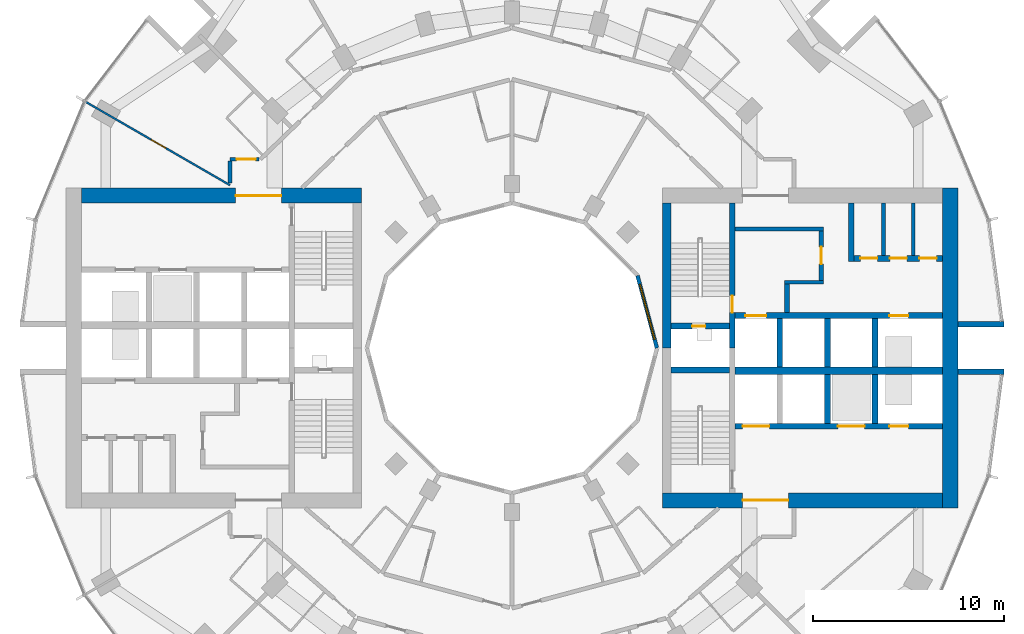
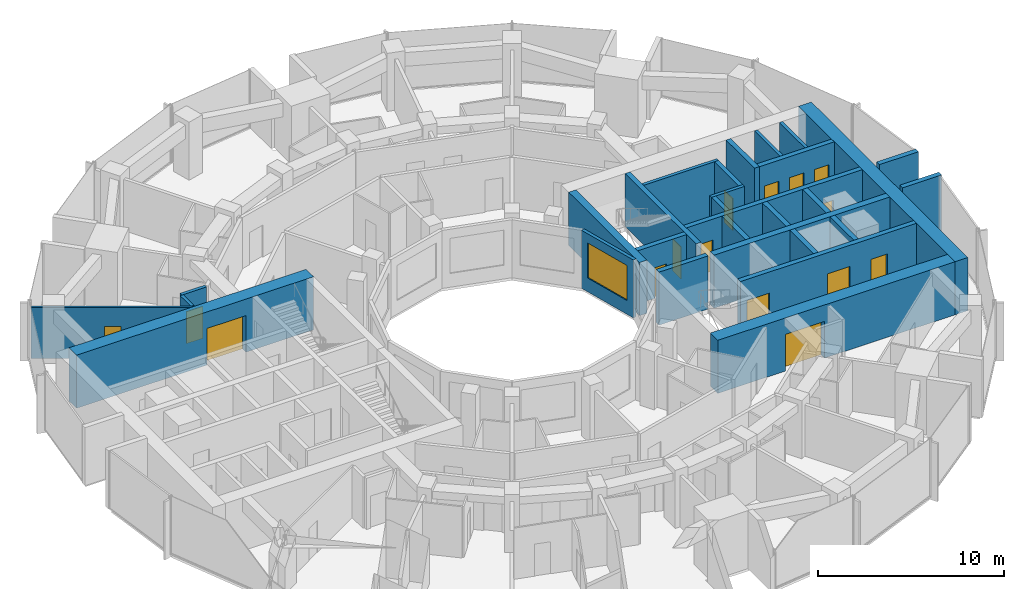
# One storey, part 11 of 15: 29 walls, 15 doors, 1 window, 16 openings.
"""IFC4 building model written with IfcOpenShell, lengths in metres."""

from ifc_helpers import new_model, si_unit, direction, frame, frame_2d, origin, place, context, subcontext, project, spatial, rectangle, extrude, material, layer, layer_set, type_object, element, fill, save


model = new_model("IFC4")

# Units and contexts
model_context = context("Model", 3, precision=1e-05, world=origin(), true_north=direction((0.0, 1.0)))
body_context = subcontext(model_context, "Body", "Model", "MODEL_VIEW")
ifc_project = project(units=[si_unit("LENGTHUNIT", "METRE"), si_unit("AREAUNIT", "SQUARE_METRE"), si_unit("VOLUMEUNIT", "CUBIC_METRE"), si_unit("PLANEANGLEUNIT", "RADIAN"), si_unit("MASSUNIT", "GRAM", prefix="KILO")], contexts=[model_context])

# Site, building, storey
site_placement = place(None, origin())
site = spatial("IfcSite", under=ifc_project, at=site_placement, CompositionType="ELEMENT")
building_placement = place(site_placement, origin())
building = spatial("IfcBuilding", under=site, at=building_placement, Name="Torre Brocal", CompositionType="ELEMENT")
storey_placement = place(building_placement, frame((0.0, 0.0, 51.60009765625)))
storey = spatial("IfcBuildingStorey", under=building, at=storey_placement, Name="L11", CompositionType="ELEMENT", Elevation=51.60009765625)

# Walls
ifc_material_1 = material(Name="Masonry block", Category="masonry")
ifc_layer_1 = layer(ifc_material_1, 0.199951171875)
ifc_layer_set_1 = layer_set([ifc_layer_1], Name="Masonry block")
wall_type_1 = type_object("IfcWallType", Name="CORE PARTITION 200", PredefinedType="PARTITIONING", material=ifc_layer_set_1)
for number, where, z_axis, x_axis, name in (
    (1, (99.5, 79.85009765625, 0.0), (0.0, 0.0, 1.0), (0.0, 1.0, 0.0), "Wall CP200"),
    (2, (101.050048828125, 79.85009765625, 0.0), (0.0, 0.0, 1.0), (0.0, 1.0, 0.0), "Wall CP200"),
):
    element("IfcWall", number, at=place(storey_placement, frame(where, z_axis=z_axis, x_axis=x_axis)), inside=storey, type_object=wall_type_1, Name=name, PredefinedType="PARTITIONING", context=body_context, shape_type="SweptSolid", body=[
        extrude(rectangle(XDim=2.75, YDim=0.199951171875, at=frame_2d((1.375, 0.0))), origin(), (0.0, 0.0, 1.0), 3.47998046875),
    ])
ifc_material_2 = material(Name="Concrete C80", Category="concrete")
ifc_layer_2 = layer(ifc_material_2, 0.199951171875)
ifc_layer_set_2 = layer_set([ifc_layer_2], Name="Concrete C80")
wall_type_2 = type_object("IfcWallType", Name="CORE WALL 200 C80", PredefinedType="SHEAR", material=ifc_layer_set_2)
wall_1_placement = place(storey_placement, frame((91.699951171875, 81.25, 0.0), z_axis=(0.0, 0.0, 1.0), x_axis=(1.0, 0.0, 0.0)))
element("IfcWall", 3, at=wall_1_placement, inside=storey, type_object=wall_type_2, Name="Wall CW200-80", PredefinedType="SHEAR", context=body_context, shape_type="SweptSolid", body=[
    extrude(rectangle(XDim=4.650146484375, YDim=0.199951171875, at=frame_2d((2.3251953125, 0.0))), origin(), (0.0, 0.0, 1.0), 3.47998046875),
])
wall_2_placement = place(storey_placement, frame((94.300048828125, 78.449951171875, 0.0), z_axis=(0.0, 0.0, 1.0), x_axis=(1.0, 0.0, 0.0)))
element("IfcWall", 4, at=wall_2_placement, inside=storey, type_object=wall_type_2, Name="Wall CW200-80", PredefinedType="SHEAR", context=body_context, shape_type="SweptSolid", body=[
    extrude(rectangle(XDim=2.050048828125, YDim=0.199951171875, at=frame_2d((1.02490234375, 0.0))), origin(), (0.0, 0.0, 1.0), 3.47998046875),
])

# Wall, opening, door
ifc_material_3 = material(Name="Concrete C80", Category="concrete")
ifc_layer_3 = layer(ifc_material_3, 0.25)
ifc_layer_set_3 = layer_set([ifc_layer_3], Name="Concrete C80")
wall_type_3 = type_object("IfcWallType", Name="CORE WALL 250 C80", PredefinedType="SHEAR", material=ifc_layer_set_3)
wall_3_placement = place(storey_placement, frame((96.22509765625, 78.550048828125, 0.0), z_axis=(0.0, 0.0, 1.0), x_axis=(0.0, 1.0, 0.0)))
wall_3 = element("IfcWall", 5, at=wall_3_placement, inside=storey, type_object=wall_type_3, Name="Wall CW250-80", PredefinedType="SHEAR", context=body_context, shape_type="SweptSolid", body=[
    extrude(rectangle(XDim=2.599853515625, YDim=0.25, at=frame_2d((1.2998046875, 0.0))), origin(), (0.0, 0.0, 1.0), 3.47998046875),
])
opening_1_placement = place(wall_3_placement, frame((0.85009765625, 0.0, 0.0)))
opening_1 = element("IfcOpeningElement", 6, at=opening_1_placement, cuts=wall_3, Name="Opening E-D15", PredefinedType="OPENING", context=body_context, shape_type="SweptSolid", body=[
    extrude(rectangle(XDim=0.89990234375, YDim=2.10009765625, at=frame_2d((0.449951171875, 1.050048828125))), frame((0.0, 0.135009765625, 0.0), z_axis=(0.0, -1.0, 0.0), x_axis=(1.0, 0.0, 0.0)), (0.0, 0.0, 1.0), 0.27001953125),
])
ifc_material_4 = material(Name="Steel A653", Category="steel")
door_type_1 = type_object("IfcDoorType", Name="LOBBY DOOR FD120 900X2100", OperationType="SINGLE_SWING_RIGHT", PredefinedType="DOOR", material=ifc_material_4)
door_1_placement = place(opening_1_placement, origin())
door_1 = element("IfcDoor", 7, at=door_1_placement, inside=storey, type_object=door_type_1, Name="Door E-D15", OperationType="SINGLE_SWING_LEFT", OverallHeight=2.10009765625, OverallWidth=0.89990234375, PredefinedType="DOOR", context=body_context, shape_type="SweptSolid", body=[
    extrude(rectangle(XDim=0.89990234375, YDim=2.10009765625, at=frame_2d((0.449951171875, 1.050048828125))), frame((0.0, 0.02490234375, 0.0), z_axis=(0.0, -1.0, 0.0), x_axis=(1.0, 0.0, 0.0)), (0.0, 0.0, 1.0), 0.050048828125),
])
fill(opening_1, door_1)

# Wall
wall_4_placement = place(storey_placement, frame((94.425048828125, 76.85009765625, 0.0), z_axis=(0.0, 0.0, 1.0), x_axis=(0.0, 1.0, 0.0)))
element("IfcWall", 8, at=wall_4_placement, inside=storey, type_object=wall_type_3, Name="Wall CW250-80", PredefinedType="SHEAR", context=body_context, shape_type="SweptSolid", body=[
    extrude(rectangle(XDim=1.5, YDim=0.25, at=frame_2d((0.75, 0.0))), origin(), (0.0, 0.0, 1.0), 3.47998046875),
])

# Wall, opening, door
ifc_material_5 = material(Name="Concrete C80", Category="concrete")
ifc_layer_4 = layer(ifc_material_5, 0.300048828125)
ifc_layer_set_4 = layer_set([ifc_layer_4], Name="Concrete C80")
wall_type_4 = type_object("IfcWallType", Name="CORE WALL 300 C80", PredefinedType="SHEAR", material=ifc_layer_set_4)
wall_5_placement = place(storey_placement, frame((91.550048828125, 75.0, 0.0), z_axis=(0.0, 0.0, 1.0), x_axis=(0.0, 1.0, 0.0)))
wall_5 = element("IfcWall", 9, at=wall_5_placement, inside=storey, type_object=wall_type_4, Name="Wall CW300-80", PredefinedType="SHEAR", context=body_context, shape_type="SweptSolid", body=[
    extrude(rectangle(XDim=7.60009765625, YDim=0.300048828125, at=frame_2d((3.800048828125, 0.0))), origin(), (0.0, 0.0, 1.0), 3.47998046875),
])
opening_2_placement = place(wall_5_placement, frame((1.85009765625, 0.0, 0.0)))
opening_2 = element("IfcOpeningElement", 10, at=opening_2_placement, cuts=wall_5, Name="Opening E-D02", PredefinedType="OPENING", context=body_context, shape_type="SweptSolid", body=[
    extrude(rectangle(XDim=0.89990234375, YDim=2.10009765625, at=frame_2d((0.449951171875, 1.050048828125))), frame((0.0, 0.159912109375, 0.0), z_axis=(0.0, -1.0, 0.0), x_axis=(1.0, 0.0, 0.0)), (0.0, 0.0, 1.0), 0.320068359375),
])
ifc_material_6 = material(Name="Steel A653", Category="steel")
door_type_2 = type_object("IfcDoorType", Name="STAIR DOOR FD120 900X2100", OperationType="SINGLE_SWING_RIGHT", PredefinedType="DOOR", material=ifc_material_6)
door_2_placement = place(opening_2_placement, origin())
door_2 = element("IfcDoor", 11, at=door_2_placement, inside=storey, type_object=door_type_2, Name="Door E-D02", OperationType="SINGLE_SWING_LEFT", OverallHeight=2.10009765625, OverallWidth=0.89990234375, PredefinedType="DOOR", context=body_context, shape_type="SweptSolid", body=[
    extrude(rectangle(XDim=0.89990234375, YDim=2.10009765625, at=frame_2d((0.449951171875, 1.050048828125))), frame((0.0, 0.02490234375, 0.0), z_axis=(0.0, -1.0, 0.0), x_axis=(1.0, 0.0, 0.0)), (0.0, 0.0, 1.0), 0.050048828125),
])
fill(opening_2, door_2)

wall_6_placement = place(storey_placement, frame((88.35009765625, 76.14990234375, 0.0), z_axis=(0.0, 0.0, 1.0), x_axis=(1.0, 0.0, 0.0)))
wall_6 = element("IfcWall", 12, at=wall_6_placement, inside=storey, type_object=wall_type_4, Name="Wall CW300-80", PredefinedType="SHEAR", context=body_context, shape_type="SweptSolid", body=[
    extrude(rectangle(XDim=3.0498046875, YDim=0.300048828125, at=frame_2d((1.52490234375, 0.0))), origin(), (0.0, 0.0, 1.0), 3.47998046875),
])
opening_3_placement = place(wall_6_placement, frame((1.10009765625, 0.0, 0.0)))
opening_3 = element("IfcOpeningElement", 13, at=opening_3_placement, cuts=wall_6, Name="Opening E-D01", PredefinedType="OPENING", context=body_context, shape_type="SweptSolid", body=[
    extrude(rectangle(XDim=0.699951171875, YDim=2.0, at=frame_2d((0.35009765625, 1.0))), frame((0.0, 0.159912109375, 0.0), z_axis=(0.0, -1.0, 0.0), x_axis=(1.0, 0.0, 0.0)), (0.0, 0.0, 1.0), 0.320068359375),
])
ifc_material_7 = material(Name="Steel A653", Category="steel")
door_type_3 = type_object("IfcDoorType", Name="RISER DOOR FD120 700X2000", OperationType="SINGLE_SWING_LEFT", PredefinedType="DOOR", material=ifc_material_7)
door_3_placement = place(opening_3_placement, frame((0.699951171875, 0.0, 0.0), z_axis=(0.0, 0.0, 1.0), x_axis=(-1.0, 0.0, 0.0)))
door_3 = element("IfcDoor", 14, at=door_3_placement, inside=storey, type_object=door_type_3, Name="Door E-D01", OperationType="SINGLE_SWING_RIGHT", OverallHeight=2.0, OverallWidth=0.699951171875, PredefinedType="DOOR", context=body_context, shape_type="SweptSolid", body=[
    extrude(rectangle(XDim=0.699951171875, YDim=2.0, at=frame_2d((0.35009765625, 1.0))), frame((0.0, 0.02490234375, 0.0), z_axis=(0.0, -1.0, 0.0), x_axis=(1.0, 0.0, 0.0)), (0.0, 0.0, 1.0), 0.050048828125),
])
fill(opening_3, door_3)

# Wall
wall_7_placement = place(storey_placement, frame((88.35009765625, 73.85009765625, 0.0), z_axis=(0.0, 0.0, 1.0), x_axis=(1.0, 0.0, 0.0)))
element("IfcWall", 15, at=wall_7_placement, inside=storey, type_object=wall_type_4, Name="Wall CW300-80", PredefinedType="SHEAR", context=body_context, shape_type="SweptSolid", body=[
    extrude(rectangle(XDim=3.0498046875, YDim=0.300048828125, at=frame_2d((1.52490234375, 0.0))), origin(), (0.0, 0.0, 1.0), 3.47998046875),
])

# Wall, openings, doors
wall_8_placement = place(storey_placement, frame((91.699951171875, 76.699951171875, 0.0), z_axis=(0.0, 0.0, 1.0), x_axis=(1.0, 0.0, 0.0)))
wall_8 = element("IfcWall", 16, at=wall_8_placement, inside=storey, type_object=wall_type_4, Name="Wall CW300-80", PredefinedType="SHEAR", context=body_context, shape_type="SweptSolid", body=[
    extrude(rectangle(XDim=10.900146484375, YDim=0.300048828125, at=frame_2d((5.4501953125, 0.0))), origin(), (0.0, 0.0, 1.0), 3.47998046875),
])
opening_4_placement = place(wall_8_placement, frame((0.550048828125, 0.0, 0.0)))
opening_4 = element("IfcOpeningElement", 17, at=opening_4_placement, cuts=wall_8, Name="Opening LD", PredefinedType="OPENING", context=body_context, shape_type="SweptSolid", body=[
    extrude(rectangle(XDim=1.10009765625, YDim=2.10009765625, at=frame_2d((0.550048828125, 1.050048828125))), frame((0.0, 0.159912109375, 0.0), z_axis=(0.0, -1.0, 0.0), x_axis=(1.0, 0.0, 0.0)), (0.0, 0.0, 1.0), 0.320068359375),
])
opening_5_placement = place(wall_8_placement, frame((8.10009765625, 0.0, 0.0)))
opening_5 = element("IfcOpeningElement", 18, at=opening_5_placement, cuts=wall_8, Name="Opening LD10", PredefinedType="OPENING", context=body_context, shape_type="SweptSolid", body=[
    extrude(rectangle(XDim=1.0, YDim=2.10009765625, at=frame_2d((0.5, 1.050048828125))), frame((0.0, 0.159912109375, 0.0), z_axis=(0.0, -1.0, 0.0), x_axis=(1.0, 0.0, 0.0)), (0.0, 0.0, 1.0), 0.320068359375),
])
ifc_material_8 = material(Name="Stainless steel AISI 316", Category="steel")
door_type_4 = type_object("IfcDoorType", Name="LIFT LANDING DOOR 1000X2100", OperationType="DOUBLE_DOOR_SLIDING", PredefinedType="DOOR", material=ifc_material_8)
door_4_placement = place(opening_5_placement, origin())
door_4 = element("IfcDoor", 19, at=door_4_placement, inside=storey, type_object=door_type_4, Name="Door LD10", OperationType="DOUBLE_DOOR_SLIDING", OverallHeight=2.10009765625, OverallWidth=1.0, PredefinedType="DOOR", context=body_context, shape_type="SweptSolid", body=[
    extrude(rectangle(XDim=1.0, YDim=2.10009765625, at=frame_2d((0.5, 1.050048828125))), frame((0.0, 0.02490234375, 0.0), z_axis=(0.0, -1.0, 0.0), x_axis=(1.0, 0.0, 0.0)), (0.0, 0.0, 1.0), 0.050048828125),
])
fill(opening_5, door_4)
ifc_material_9 = material(Name="Stainless steel AISI 316", Category="steel")
door_type_5 = type_object("IfcDoorType", Name="LIFT LANDING DOOR 1100X2100", OperationType="DOUBLE_DOOR_SLIDING", PredefinedType="DOOR", material=ifc_material_9)
door_5_placement = place(opening_4_placement, origin())
door_5 = element("IfcDoor", 20, at=door_5_placement, inside=storey, type_object=door_type_5, Name="Door LD", OperationType="DOUBLE_DOOR_SLIDING", OverallHeight=2.10009765625, OverallWidth=1.10009765625, PredefinedType="DOOR", context=body_context, shape_type="SweptSolid", body=[
    extrude(rectangle(XDim=1.10009765625, YDim=2.10009765625, at=frame_2d((0.550048828125, 1.050048828125))), frame((0.0, 0.02490234375, 0.0), z_axis=(0.0, -1.0, 0.0), x_axis=(1.0, 0.0, 0.0)), (0.0, 0.0, 1.0), 0.050048828125),
])
fill(opening_4, door_5)

wall_9_placement = place(storey_placement, frame((91.699951171875, 70.89990234375, 0.0), z_axis=(0.0, 0.0, 1.0), x_axis=(1.0, 0.0, 0.0)))
wall_9 = element("IfcWall", 21, at=wall_9_placement, inside=storey, type_object=wall_type_4, Name="Wall CW300-80", PredefinedType="SHEAR", context=body_context, shape_type="SweptSolid", body=[
    extrude(rectangle(XDim=10.900146484375, YDim=0.300048828125, at=frame_2d((5.4501953125, 0.0))), origin(), (0.0, 0.0, 1.0), 3.47998046875),
])
opening_6_placement = place(wall_9_placement, frame((0.39990234375, 0.0, 0.0)))
opening_6 = element("IfcOpeningElement", 22, at=opening_6_placement, cuts=wall_9, Name="Opening LD14", PredefinedType="OPENING", context=body_context, shape_type="SweptSolid", body=[
    extrude(rectangle(XDim=1.39990234375, YDim=2.10009765625, at=frame_2d((0.699951171875, 1.050048828125))), frame((0.0, 0.159912109375, 0.0), z_axis=(0.0, -1.0, 0.0), x_axis=(1.0, 0.0, 0.0)), (0.0, 0.0, 1.0), 0.320068359375),
])
opening_7_placement = place(wall_9_placement, frame((5.39990234375, 0.0, 0.0)))
opening_7 = element("IfcOpeningElement", 23, at=opening_7_placement, cuts=wall_9, Name="Opening LD14", PredefinedType="OPENING", context=body_context, shape_type="SweptSolid", body=[
    extrude(rectangle(XDim=1.39990234375, YDim=2.10009765625, at=frame_2d((0.699951171875, 1.050048828125))), frame((0.0, 0.159912109375, 0.0), z_axis=(0.0, -1.0, 0.0), x_axis=(1.0, 0.0, 0.0)), (0.0, 0.0, 1.0), 0.320068359375),
])
opening_8_placement = place(wall_9_placement, frame((8.10009765625, 0.0, 0.0)))
opening_8 = element("IfcOpeningElement", 24, at=opening_8_placement, cuts=wall_9, Name="Opening LD10", PredefinedType="OPENING", context=body_context, shape_type="SweptSolid", body=[
    extrude(rectangle(XDim=1.0, YDim=2.10009765625, at=frame_2d((0.5, 1.050048828125))), frame((0.0, 0.159912109375, 0.0), z_axis=(0.0, -1.0, 0.0), x_axis=(1.0, 0.0, 0.0)), (0.0, 0.0, 1.0), 0.320068359375),
])
door_6_placement = place(opening_8_placement, origin())
door_6 = element("IfcDoor", 25, at=door_6_placement, inside=storey, type_object=door_type_4, Name="Door LD10", OperationType="DOUBLE_DOOR_SLIDING", OverallHeight=2.10009765625, OverallWidth=1.0, PredefinedType="DOOR", context=body_context, shape_type="SweptSolid", body=[
    extrude(rectangle(XDim=1.0, YDim=2.10009765625, at=frame_2d((0.5, 1.050048828125))), frame((0.0, 0.02490234375, 0.0), z_axis=(0.0, -1.0, 0.0), x_axis=(1.0, 0.0, 0.0)), (0.0, 0.0, 1.0), 0.050048828125),
])
fill(opening_8, door_6)
ifc_material_10 = material(Name="Stainless steel AISI 316", Category="steel")
door_type_6 = type_object("IfcDoorType", Name="LIFT LANDING DOOR 1400X2100", OperationType="DOUBLE_DOOR_SLIDING", PredefinedType="DOOR", material=ifc_material_10)
door_7_placement = place(opening_6_placement, origin())
door_7 = element("IfcDoor", 26, at=door_7_placement, inside=storey, type_object=door_type_6, Name="Door LD14", OperationType="DOUBLE_DOOR_SLIDING", OverallHeight=2.10009765625, OverallWidth=1.39990234375, PredefinedType="DOOR", context=body_context, shape_type="SweptSolid", body=[
    extrude(rectangle(XDim=1.39990234375, YDim=2.10009765625, at=frame_2d((0.699951171875, 1.050048828125))), frame((0.0, 0.02490234375, 0.0), z_axis=(0.0, -1.0, 0.0), x_axis=(1.0, 0.0, 0.0)), (0.0, 0.0, 1.0), 0.050048828125),
])
fill(opening_6, door_7)
door_8_placement = place(opening_7_placement, origin())
door_8 = element("IfcDoor", 27, at=door_8_placement, inside=storey, type_object=door_type_6, Name="Door LD14", OperationType="DOUBLE_DOOR_SLIDING", OverallHeight=2.10009765625, OverallWidth=1.39990234375, PredefinedType="DOOR", context=body_context, shape_type="SweptSolid", body=[
    extrude(rectangle(XDim=1.39990234375, YDim=2.10009765625, at=frame_2d((0.699951171875, 1.050048828125))), frame((0.0, 0.02490234375, 0.0), z_axis=(0.0, -1.0, 0.0), x_axis=(1.0, 0.0, 0.0)), (0.0, 0.0, 1.0), 0.050048828125),
])
fill(opening_7, door_8)

# Walls
for number, where, z_axis, x_axis, name in (
    (28, (94.050048828125, 74.0, 0.0), (0.0, 0.0, 1.0), (0.0, 1.0, 0.0), "Wall CW300-80"),
    (29, (96.550048828125, 74.0, 0.0), (0.0, 0.0, 1.0), (0.0, 1.0, 0.0), "Wall CW300-80"),
    (30, (99.050048828125, 74.0, 0.0), (0.0, 0.0, 1.0), (0.0, 1.0, 0.0), "Wall CW300-80"),
    (31, (96.550048828125, 71.050048828125, 0.0), (0.0, 0.0, 1.0), (0.0, 1.0, 0.0), "Wall CW300-80"),
    (32, (99.050048828125, 71.050048828125, 0.0), (0.0, 0.0, 1.0), (0.0, 1.0, 0.0), "Wall CW300-80"),
):
    element("IfcWall", number, at=place(storey_placement, frame(where, z_axis=z_axis, x_axis=x_axis)), inside=storey, type_object=wall_type_4, Name=name, PredefinedType="SHEAR", context=body_context, shape_type="SweptSolid", body=[
        extrude(rectangle(XDim=2.550048828125, YDim=0.300048828125, at=frame_2d((1.27490234375, 0.0))), origin(), (0.0, 0.0, 1.0), 3.47998046875),
    ])
wall_10_placement = place(storey_placement, frame((97.800048828125, 79.550048828125, 0.0), z_axis=(0.0, 0.0, 1.0), x_axis=(0.0, 1.0, 0.0)))
element("IfcWall", 33, at=wall_10_placement, inside=storey, type_object=wall_type_4, Name="Wall CW300-80", PredefinedType="SHEAR", context=body_context, shape_type="SweptSolid", body=[
    extrude(rectangle(XDim=3.050048828125, YDim=0.300048828125, at=frame_2d((1.52490234375, 0.0))), origin(), (0.0, 0.0, 1.0), 3.47998046875),
])

# Wall, openings, doors
wall_11_placement = place(storey_placement, frame((97.949951171875, 79.699951171875, 0.0), z_axis=(0.0, 0.0, 1.0), x_axis=(1.0, 0.0, 0.0)))
wall_11 = element("IfcWall", 34, at=wall_11_placement, inside=storey, type_object=wall_type_4, Name="Wall CW300-80", PredefinedType="SHEAR", context=body_context, shape_type="SweptSolid", body=[
    extrude(rectangle(XDim=4.650146484375, YDim=0.300048828125, at=frame_2d((2.3251953125, 0.0))), origin(), (0.0, 0.0, 1.0), 3.47998046875),
])
opening_9_placement = place(wall_11_placement, frame((0.324951171875, 0.0, 0.0)))
opening_9 = element("IfcOpeningElement", 35, at=opening_9_placement, cuts=wall_11, Name="Opening E-D05", PredefinedType="OPENING", context=body_context, shape_type="SweptSolid", body=[
    extrude(rectangle(XDim=0.89990234375, YDim=2.10009765625, at=frame_2d((0.449951171875, 1.050048828125))), frame((0.0, 0.159912109375, 0.0), z_axis=(0.0, -1.0, 0.0), x_axis=(1.0, 0.0, 0.0)), (0.0, 0.0, 1.0), 0.320068359375),
])
opening_10_placement = place(wall_11_placement, frame((1.875, 0.0, 0.0)))
opening_10 = element("IfcOpeningElement", 36, at=opening_10_placement, cuts=wall_11, Name="Opening E-D06", PredefinedType="OPENING", context=body_context, shape_type="SweptSolid", body=[
    extrude(rectangle(XDim=0.89990234375, YDim=2.10009765625, at=frame_2d((0.449951171875, 1.050048828125))), frame((0.0, 0.159912109375, 0.0), z_axis=(0.0, -1.0, 0.0), x_axis=(1.0, 0.0, 0.0)), (0.0, 0.0, 1.0), 0.320068359375),
])
opening_11_placement = place(wall_11_placement, frame((3.425048828125, 0.0, 0.0)))
opening_11 = element("IfcOpeningElement", 37, at=opening_11_placement, cuts=wall_11, Name="Opening E-D07", PredefinedType="OPENING", context=body_context, shape_type="SweptSolid", body=[
    extrude(rectangle(XDim=0.89990234375, YDim=2.10009765625, at=frame_2d((0.449951171875, 1.050048828125))), frame((0.0, 0.159912109375, 0.0), z_axis=(0.0, -1.0, 0.0), x_axis=(1.0, 0.0, 0.0)), (0.0, 0.0, 1.0), 0.320068359375),
])
ifc_material_11 = material(Name="Steel A653", Category="steel")
door_type_7 = type_object("IfcDoorType", Name="ROOM DOOR FD30S 900X2100", OperationType="SINGLE_SWING_LEFT", PredefinedType="DOOR", material=ifc_material_11)
door_9_placement = place(opening_9_placement, origin())
door_9 = element("IfcDoor", 38, at=door_9_placement, inside=storey, type_object=door_type_7, Name="Door E-D05", OperationType="SINGLE_SWING_RIGHT", OverallHeight=2.10009765625, OverallWidth=0.89990234375, PredefinedType="DOOR", context=body_context, shape_type="SweptSolid", body=[
    extrude(rectangle(XDim=0.89990234375, YDim=2.10009765625, at=frame_2d((0.449951171875, 1.050048828125))), frame((0.0, 0.02490234375, 0.0), z_axis=(0.0, -1.0, 0.0), x_axis=(1.0, 0.0, 0.0)), (0.0, 0.0, 1.0), 0.050048828125),
])
fill(opening_9, door_9)
door_10_placement = place(opening_10_placement, origin())
door_10 = element("IfcDoor", 39, at=door_10_placement, inside=storey, type_object=door_type_7, Name="Door E-D06", OperationType="SINGLE_SWING_RIGHT", OverallHeight=2.10009765625, OverallWidth=0.89990234375, PredefinedType="DOOR", context=body_context, shape_type="SweptSolid", body=[
    extrude(rectangle(XDim=0.89990234375, YDim=2.10009765625, at=frame_2d((0.449951171875, 1.050048828125))), frame((0.0, 0.02490234375, 0.0), z_axis=(0.0, -1.0, 0.0), x_axis=(1.0, 0.0, 0.0)), (0.0, 0.0, 1.0), 0.050048828125),
])
fill(opening_10, door_10)
door_11_placement = place(opening_11_placement, origin())
door_11 = element("IfcDoor", 40, at=door_11_placement, inside=storey, type_object=door_type_7, Name="Door E-D07", OperationType="SINGLE_SWING_LEFT", OverallHeight=2.10009765625, OverallWidth=0.89990234375, PredefinedType="DOOR", context=body_context, shape_type="SweptSolid", body=[
    extrude(rectangle(XDim=0.89990234375, YDim=2.10009765625, at=frame_2d((0.449951171875, 1.050048828125))), frame((0.0, 0.02490234375, 0.0), z_axis=(0.0, -1.0, 0.0), x_axis=(1.0, 0.0, 0.0)), (0.0, 0.0, 1.0), 0.050048828125),
])
fill(opening_11, door_11)

# Walls
ifc_material_12 = material(Name="Concrete C80", Category="concrete")
ifc_layer_5 = layer(ifc_material_12, 0.39990234375)
ifc_layer_set_5 = layer_set([ifc_layer_5], Name="Concrete C80")
wall_type_5 = type_object("IfcWallType", Name="CORE WALL 400 C80", PredefinedType="SHEAR", material=ifc_layer_set_5)
wall_12_placement = place(storey_placement, frame((91.699951171875, 73.800048828125, 0.0), z_axis=(0.0, 0.0, 1.0), x_axis=(1.0, 0.0, 0.0)))
element("IfcWall", 41, at=wall_12_placement, inside=storey, type_object=wall_type_5, Name="Wall CW400-80", PredefinedType="SHEAR", context=body_context, shape_type="SweptSolid", body=[
    extrude(rectangle(XDim=10.900146484375, YDim=0.39990234375, at=frame_2d((5.4501953125, 0.0))), origin(), (0.0, 0.0, 1.0), 3.47998046875),
])
ifc_material_13 = material(Name="Concrete C80", Category="concrete")
ifc_layer_6 = layer(ifc_material_13, 0.449951171875)
ifc_layer_set_6 = layer_set([ifc_layer_6], Name="Concrete C80")
wall_type_6 = type_object("IfcWallType", Name="CORE WALL 450 C80", PredefinedType="SHEAR", material=ifc_layer_set_6)
wall_13_placement = place(storey_placement, frame((88.125, 75.0, 0.0), z_axis=(0.0, 0.0, 1.0), x_axis=(0.0, 1.0, 0.0)))
element("IfcWall", 42, at=wall_13_placement, inside=storey, type_object=wall_type_6, Name="Wall CW450-80", PredefinedType="SHEAR", context=body_context, shape_type="SweptSolid", body=[
    extrude(rectangle(XDim=7.60009765625, YDim=0.449951171875, at=frame_2d((3.800048828125, 0.0))), origin(), (0.0, 0.0, 1.0), 3.47998046875),
])

# Wall, opening, door
ifc_material_14 = material(Name="Concrete C80", Category="concrete")
ifc_layer_7 = layer(ifc_material_14, 0.800048828125)
ifc_layer_set_7 = layer_set([ifc_layer_7], Name="Concrete C80")
wall_type_7 = type_object("IfcWallType", Name="CORE WALL 800 C80", PredefinedType="SHEAR", material=ifc_layer_set_7)
wall_14_placement = place(storey_placement, frame((87.89990234375, 67.0, 0.0), z_axis=(0.0, 0.0, 1.0), x_axis=(1.0, 0.0, 0.0)))
wall_14 = element("IfcWall", 43, at=wall_14_placement, inside=storey, type_object=wall_type_7, Name="Wall CW800-80", PredefinedType="SHEAR", context=body_context, shape_type="SweptSolid", body=[
    extrude(rectangle(XDim=14.7001953125, YDim=0.800048828125, at=frame_2d((7.35009765625, 0.0))), origin(), (0.0, 0.0, 1.0), 3.47998046875),
])
opening_12_placement = place(wall_14_placement, frame((4.199951171875, 0.0, 0.0)))
opening_12 = element("IfcOpeningElement", 44, at=opening_12_placement, cuts=wall_14, Name="Opening E-D30", PredefinedType="OPENING", context=body_context, shape_type="SweptSolid", body=[
    extrude(rectangle(XDim=2.39990234375, YDim=2.39990234375, at=frame_2d((1.199951171875, 1.199951171875))), frame((0.0, 0.409912109375, 0.0), z_axis=(0.0, -1.0, 0.0), x_axis=(1.0, 0.0, 0.0)), (0.0, 0.0, 1.0), 0.820068359375),
])
ifc_material_15 = material(Name="Steel A653", Category="steel")
door_type_8 = type_object("IfcDoorType", Name="DOUBLE FIRE DOOR FD90 2400X2400", OperationType="DOUBLE_DOOR_SINGLE_SWING", PredefinedType="DOOR", material=ifc_material_15)
door_12_placement = place(opening_12_placement, origin())
door_12 = element("IfcDoor", 45, at=door_12_placement, inside=storey, type_object=door_type_8, Name="Door E-D30", OperationType="DOUBLE_DOOR_SINGLE_SWING", OverallHeight=2.39990234375, OverallWidth=2.39990234375, PredefinedType="DOOR", context=body_context, shape_type="SweptSolid", body=[
    extrude(rectangle(XDim=2.39990234375, YDim=2.39990234375, at=frame_2d((1.199951171875, 1.199951171875))), frame((0.0, 0.02490234375, 0.0), z_axis=(0.0, -1.0, 0.0), x_axis=(1.0, 0.0, 0.0)), (0.0, 0.0, 1.0), 0.050048828125),
])
fill(opening_12, door_12)

# Wall
wall_15_placement = place(storey_placement, frame((103.0, 66.60009765625, 0.0), z_axis=(0.0, 0.0, 1.0), x_axis=(0.0, 1.0, 0.0)))
element("IfcWall", 46, at=wall_15_placement, inside=storey, type_object=wall_type_7, Name="Wall CW800-80", PredefinedType="SHEAR", context=body_context, shape_type="SweptSolid", body=[
    extrude(rectangle(XDim=16.7998046875, YDim=0.800048828125, at=frame_2d((8.39990234375, 0.0))), origin(), (0.0, 0.0, 1.0), 3.47998046875),
])

# Wall, opening, door
wall_16_placement = place(storey_placement, frame((72.10009765625, 83.0, 0.0), z_axis=(0.0, 0.0, 1.0), x_axis=(-1.0, 0.0, 0.0)))
wall_16 = element("IfcWall", 47, at=wall_16_placement, inside=storey, type_object=wall_type_7, Name="Wall CW800-80", PredefinedType="SHEAR", context=body_context, shape_type="SweptSolid", body=[
    extrude(rectangle(XDim=14.7001953125, YDim=0.800048828125, at=frame_2d((7.35009765625, 0.0))), origin(), (0.0, 0.0, 1.0), 3.47998046875),
])
opening_13_placement = place(wall_16_placement, frame((4.199951171875, 0.0, 0.0)))
opening_13 = element("IfcOpeningElement", 48, at=opening_13_placement, cuts=wall_16, Name="Opening W-D30", PredefinedType="OPENING", context=body_context, shape_type="SweptSolid", body=[
    extrude(rectangle(XDim=2.39990234375, YDim=2.39990234375, at=frame_2d((1.199951171875, 1.199951171875))), frame((0.0, 0.409912109375, 0.0), z_axis=(0.0, -1.0, 0.0), x_axis=(1.0, 0.0, 0.0)), (0.0, 0.0, 1.0), 0.820068359375),
])
door_13_placement = place(opening_13_placement, origin())
door_13 = element("IfcDoor", 49, at=door_13_placement, inside=storey, type_object=door_type_8, Name="Door W-D30", OperationType="DOUBLE_DOOR_SINGLE_SWING", OverallHeight=2.39990234375, OverallWidth=2.39990234375, PredefinedType="DOOR", context=body_context, shape_type="SweptSolid", body=[
    extrude(rectangle(XDim=2.39990234375, YDim=2.39990234375, at=frame_2d((1.199951171875, 1.199951171875))), frame((0.0, 0.02490234375, 0.0), z_axis=(0.0, -1.0, 0.0), x_axis=(1.0, 0.0, 0.0)), (0.0, 0.0, 1.0), 0.050048828125),
])
fill(opening_13, door_13)

# Walls
ifc_material_16 = material(Name="Concrete C80", Category="concrete")
ifc_layer_8 = layer(ifc_material_16, 0.300048828125)
ifc_layer_set_8 = layer_set([ifc_layer_8], Name="Concrete C80")
wall_type_8 = type_object("IfcWallType", Name="NOTCH RETURN WALL 300 C80", PredefinedType="NOTDEFINED", material=ifc_layer_set_8)
for number, where, z_axis, x_axis, name in (
    (50, (103.39990234375, 73.75, 0.0), (0.0, 0.0, 1.0), (1.0, 0.0, 0.0), "NOTCH RETURN WALL"),
    (51, (103.39990234375, 76.25, 0.0), (0.0, 0.0, 1.0), (1.0, 0.0, 0.0), "NOTCH RETURN WALL"),
):
    element("IfcWall", number, at=place(storey_placement, frame(where, z_axis=z_axis, x_axis=x_axis)), inside=storey, type_object=wall_type_8, Name=name, PredefinedType="NOTDEFINED", context=body_context, shape_type="SweptSolid", body=[
        extrude(rectangle(XDim=2.415771484375, YDim=0.300048828125, at=frame_2d((1.2080078125, 0.0))), origin(), (0.0, 0.0, 1.0), 3.7998046875),
    ])

# Wall, opening, door
ifc_material_17 = material(Name="Gypsum board", Category="Gypsum")
ifc_layer_9 = layer(ifc_material_17, 0.10009765625)
ifc_layer_set_9 = layer_set([ifc_layer_9], Name="Gypsum board")
wall_type_9 = type_object("IfcWallType", Name="PARTITION 100", PredefinedType="PARTITIONING", material=ifc_layer_set_9)
wall_17_placement = place(storey_placement, frame((57.65869140625, 87.89892578125, 0.0), z_axis=(0.0, 0.0, 1.0), x_axis=(0.86602264145, -0.500004784474, 0.0)))
wall_17 = element("IfcWall", 52, at=wall_17_placement, inside=storey, type_object=wall_type_9, Name="ROOM PARTITION", PredefinedType="PARTITIONING", context=body_context, shape_type="SweptSolid", body=[
    extrude(rectangle(XDim=8.7080078125, YDim=0.10009765625, at=frame_2d((4.35400390625, 0.0))), origin(), (0.0, 0.0, 1.0), 3.349853515625),
])
opening_14_placement = place(wall_17_placement, frame((3.928955078125, 0.0, 0.0)))
opening_14 = element("IfcOpeningElement", 53, at=opening_14_placement, cuts=wall_17, Name="Opening H03-D13", PredefinedType="OPENING", context=body_context, shape_type="SweptSolid", body=[
    extrude(rectangle(XDim=0.89990234375, YDim=2.10009765625, at=frame_2d((0.449951171875, 1.050048828125))), frame((0.0, 0.06005859375, 0.0), z_axis=(0.0, -1.0, 0.0), x_axis=(1.0, 0.0, 0.0)), (0.0, 0.0, 1.0), 0.1201171875),
])
ifc_material_18 = material(Name="Timber", Category="wood")
door_type_9 = type_object("IfcDoorType", Name="ROOM DOOR 900X2100", OperationType="SINGLE_SWING_LEFT", PredefinedType="DOOR", material=ifc_material_18)
door_14_placement = place(opening_14_placement, frame((0.89990234375, 0.0, 0.0), z_axis=(0.0, 0.0, 1.0), x_axis=(-1.0, 0.0, 0.0)))
door_14 = element("IfcDoor", 54, at=door_14_placement, inside=storey, type_object=door_type_9, Name="H03-D13", OperationType="SINGLE_SWING_LEFT", OverallHeight=2.10009765625, OverallWidth=0.89990234375, PredefinedType="DOOR", context=body_context, shape_type="SweptSolid", body=[
    extrude(rectangle(XDim=0.89990234375, YDim=2.10009765625, at=frame_2d((0.449951171875, 1.050048828125))), frame((0.0, 0.02490234375, 0.0), z_axis=(0.0, -1.0, 0.0), x_axis=(1.0, 0.0, 0.0)), (0.0, 0.0, 1.0), 0.050048828125),
])
fill(opening_14, door_14)

# Wall
ifc_material_19 = material(Name="Gypsum board", Category="Gypsum")
ifc_layer_10 = layer(ifc_material_19, 0.199951171875)
ifc_layer_set_10 = layer_set([ifc_layer_10], Name="Gypsum board")
wall_type_10 = type_object("IfcWallType", Name="PARTITION 200 EI60", PredefinedType="PARTITIONING", material=ifc_layer_set_10)
wall_18_placement = place(storey_placement, frame((65.199951171875, 83.64990234375, 0.0), z_axis=(0.0, 0.0, 1.0), x_axis=(0.0, 1.0, 0.0)))
element("IfcWall", 55, at=wall_18_placement, inside=storey, type_object=wall_type_10, Name="GUESTROOM CORRIDOR WALL", PredefinedType="PARTITIONING", context=body_context, shape_type="SweptSolid", body=[
    extrude(rectangle(XDim=1.150146484375, YDim=0.199951171875, at=frame_2d((0.5751953125, 0.0))), origin(), (0.0, 0.0, 1.0), 3.349853515625),
])

# Wall, opening, door
wall_19_placement = place(storey_placement, frame((65.199951171875, 84.89990234375, 0.0), z_axis=(0.0, 0.0, 1.0), x_axis=(1.0, 0.0, 0.0)))
wall_19 = element("IfcWall", 56, at=wall_19_placement, inside=storey, type_object=wall_type_10, Name="GUESTROOM CORRIDOR WALL", PredefinedType="PARTITIONING", context=body_context, shape_type="SweptSolid", body=[
    extrude(rectangle(XDim=1.537109375, YDim=0.199951171875, at=frame_2d((0.7685546875, 0.0))), origin(), (0.0, 0.0, 1.0), 3.349853515625),
])
opening_15_placement = place(wall_19_placement, frame((0.346923828125, 0.0, 0.0)))
opening_15 = element("IfcOpeningElement", 57, at=opening_15_placement, cuts=wall_19, Name="Opening H03-D11", PredefinedType="OPENING", context=body_context, shape_type="SweptSolid", body=[
    extrude(rectangle(XDim=1.0, YDim=2.10009765625, at=frame_2d((0.5, 1.050048828125))), frame((0.0, 0.10986328125, 0.0), z_axis=(0.0, -1.0, 0.0), x_axis=(1.0, 0.0, 0.0)), (0.0, 0.0, 1.0), 0.219970703125),
])
ifc_material_20 = material(Name="Timber", Category="wood")
door_type_10 = type_object("IfcDoorType", Name="FLAT ENTRY DOOR FD30S 1000X2100", OperationType="SINGLE_SWING_RIGHT", PredefinedType="DOOR", material=ifc_material_20)
door_15_placement = place(opening_15_placement, origin())
door_15 = element("IfcDoor", 58, at=door_15_placement, inside=storey, type_object=door_type_10, Name="H03-D11", OperationType="SINGLE_SWING_LEFT", OverallHeight=2.10009765625, OverallWidth=1.0, PredefinedType="DOOR", context=body_context, shape_type="SweptSolid", body=[
    extrude(rectangle(XDim=1.0, YDim=2.10009765625, at=frame_2d((0.5, 1.050048828125))), frame((0.0, 0.02490234375, 0.0), z_axis=(0.0, -1.0, 0.0), x_axis=(1.0, 0.0, 0.0)), (0.0, 0.0, 1.0), 0.050048828125),
])
fill(opening_15, door_15)

# Wall, opening, window
ifc_material_21 = material(Name="Concrete C40", Category="concrete")
ifc_layer_11 = layer(ifc_material_21, 0.199951171875)
ifc_layer_set_11 = layer_set([ifc_layer_11], Name="Concrete C40")
wall_type_11 = type_object("IfcWallType", Name="WELL FACADE WALL 200", PredefinedType="NOTDEFINED", material=ifc_layer_set_11)
wall_20_placement = place(storey_placement, frame((87.603515625, 75.0, 0.0), z_axis=(0.0, 0.0, 1.0), x_axis=(-0.258789828301, 0.965933654434, 0.0)))
wall_20 = element("IfcWall", 59, at=wall_20_placement, inside=storey, type_object=wall_type_11, Name="WELL FACADE WALL", PredefinedType="NOTDEFINED", context=body_context, shape_type="SweptSolid", body=[
    extrude(rectangle(XDim=3.935791015625, YDim=0.199951171875, at=frame_2d((1.9677734375, 0.0))), origin(), (0.0, 0.0, 1.0), 3.7998046875),
])
opening_16_placement = place(wall_20_placement, frame((0.468017578125, 0.0, 0.89990234375)))
opening_16 = element("IfcOpeningElement", 60, at=opening_16_placement, cuts=wall_20, Name="Opening W1", PredefinedType="OPENING", context=body_context, shape_type="SweptSolid", body=[
    extrude(rectangle(XDim=3.0, YDim=2.300048828125, at=frame_2d((1.5, 1.14990234375))), frame((0.0, 0.10986328125, 0.0), z_axis=(0.0, -1.0, 0.0), x_axis=(1.0, 0.0, 0.0)), (0.0, 0.0, 1.0), 0.219970703125),
])
ifc_material_22 = material(Name="Aluminium and glass", Category="aluminium")
window_type = type_object("IfcWindowType", Name="WELL WINDOW 3000X2300", PartitioningType="SINGLE_PANEL", PredefinedType="WINDOW", material=ifc_material_22)
window_placement = place(opening_16_placement, origin())
window = element("IfcWindow", 61, at=window_placement, inside=storey, type_object=window_type, Name="WELL WINDOW 3000X2300", OverallHeight=2.300048828125, OverallWidth=3.0, PartitioningType="SINGLE_PANEL", PredefinedType="WINDOW", context=body_context, shape_type="SweptSolid", body=[
    extrude(rectangle(XDim=3.0, YDim=2.300048828125, at=frame_2d((1.5, 1.14990234375))), frame((0.0, 0.030029296875, 0.0), z_axis=(0.0, -1.0, 0.0), x_axis=(1.0, 0.0, 0.0)), (0.0, 0.0, 1.0), 0.06005859375),
])
fill(opening_16, window)

save(model, "model.ifc")
